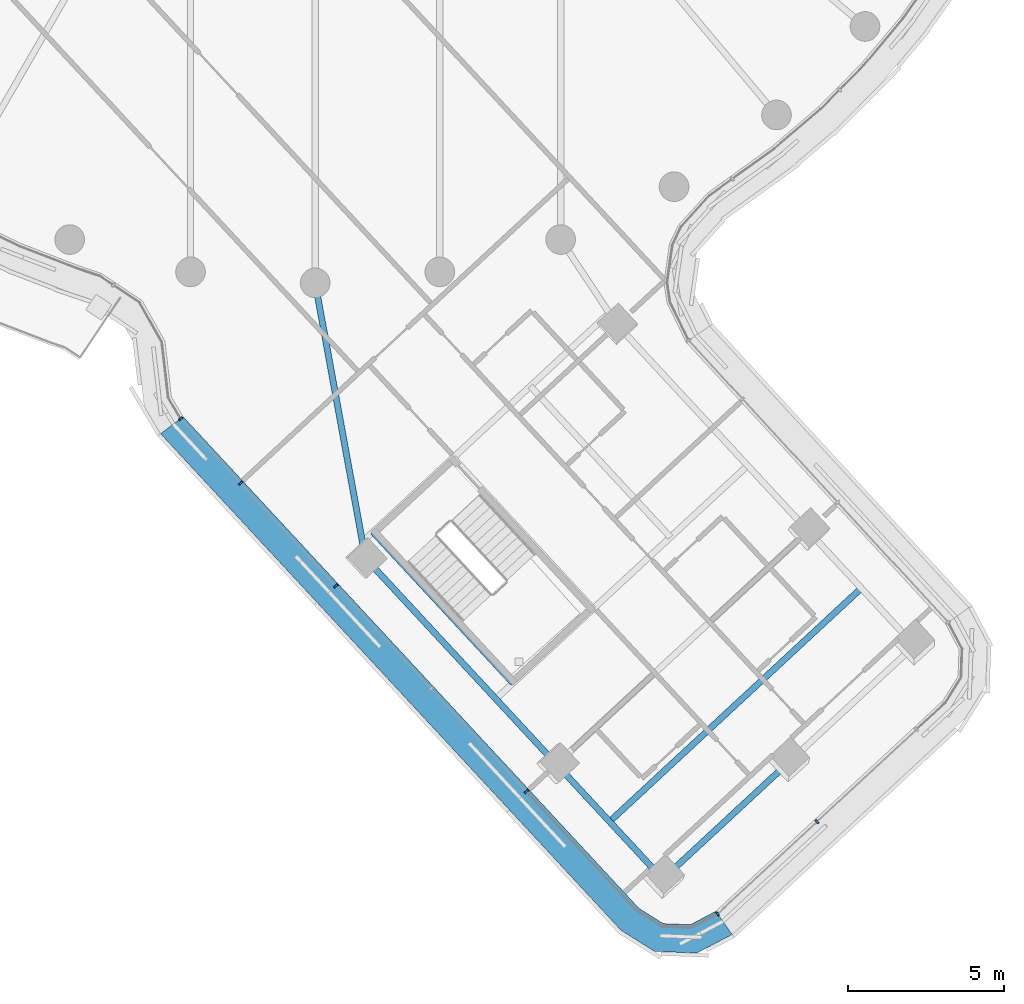
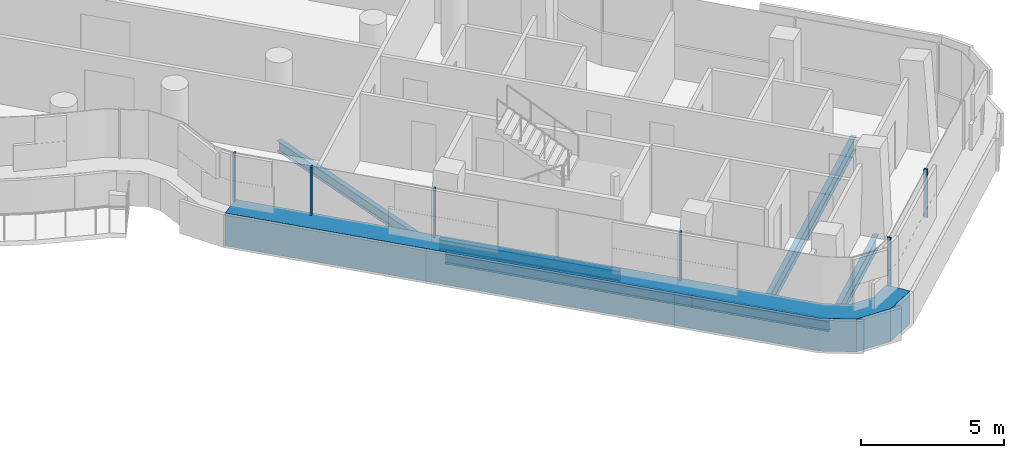
# One storey, part 5 of 34: 7 members, 6 beams, 2 elements without a shape of their own.
"""IFC4 building model written with IfcOpenShell, lengths in metres."""

from ifc_helpers import new_model, si_unit, direction, frame, origin, origin_2d, place, context, subcontext, project, spatial, polyline, rectangle, i_section, outline, extrude, material, layer, layer_set, material_profile, profile_set, type_object, element, aggregate, save


model = new_model("IFC4")

# Units and contexts
model_context = context("Model", 3, precision=1e-05, world=origin(), true_north=direction((0.0, 1.0)))
body_context = subcontext(model_context, "Body", "Model", "MODEL_VIEW")
ifc_project = project(units=[si_unit("LENGTHUNIT", "METRE"), si_unit("AREAUNIT", "SQUARE_METRE"), si_unit("VOLUMEUNIT", "CUBIC_METRE"), si_unit("PLANEANGLEUNIT", "RADIAN"), si_unit("MASSUNIT", "GRAM", prefix="KILO")], contexts=[model_context])

# Site, building, storey
site_placement = place(None, origin())
site = spatial("IfcSite", under=ifc_project, at=site_placement, CompositionType="ELEMENT")
building_placement = place(site_placement, origin())
building = spatial("IfcBuilding", under=site, at=building_placement, Name="Tamarind Cross Interchange Tower", CompositionType="ELEMENT")
storey_placement = place(building_placement, frame((0.0, 0.0, 189.699951171875)))
storey = spatial("IfcBuildingStorey", under=building, at=storey_placement, Name="L47", CompositionType="ELEMENT", Elevation=189.699951171875)

# Beams
ifc_material_1 = material(Name="Steel Q355B", Category="steel")
ifc_material_profile_1 = material_profile(ifc_material_1, i_section(OverallWidth=0.198974609375, OverallDepth=0.446044921875, WebThickness=0.008056640625, FlangeThickness=0.011962890625, FilletRadius=0.012939453125, at=origin_2d()), Name="HN 446x199x8x12")
ifc_profile_set_1 = profile_set([ifc_material_profile_1], Name="Steel Q355B")
beam_type_1 = type_object("IfcBeamType", Name="Composite beam HN 446x199x8x12 Q355B", PredefinedType="BEAM", material=ifc_profile_set_1)
beam_1_placement = place(storey_placement, frame((11.1416015625, -42.10546875, -0.363037109375), z_axis=(-0.679919112762, 0.733287119824, 0.0), x_axis=(-0.733287119824, -0.679919112762, 0.0)))
element("IfcBeam", 1, at=beam_1_placement, inside=storey, type_object=beam_type_1, Name="Beam S-edgeem5", PredefinedType="BEAM", context=body_context, shape_type="SweptSolid", body=[
    extrude(i_section(OverallWidth=0.198974609375, OverallDepth=0.446044921875, WebThickness=0.008056640625, FlangeThickness=0.011962890625, FilletRadius=0.012939453125, at=origin_2d()), origin(), (0.0, 0.0, 1.0), 5.018310546875),
])
beam_2_placement = place(storey_placement, frame((7.7294921875, -38.425537109375, -0.363037109375), z_axis=(-0.679924447682, 0.73328217314, 0.0), x_axis=(-0.73328217314, -0.679924447682, 0.0)))
element("IfcBeam", 2, at=beam_2_placement, inside=storey, type_object=beam_type_1, Name="Beam S-edgeem6", PredefinedType="BEAM", context=body_context, shape_type="SweptSolid", body=[
    extrude(i_section(OverallWidth=0.198974609375, OverallDepth=0.446044921875, WebThickness=0.008056640625, FlangeThickness=0.011962890625, FilletRadius=0.012939453125, at=origin_2d()), origin(), (0.0, 0.0, 1.0), 9.0),
])
beam_3_placement = place(storey_placement, frame((1.610107421875, -31.825927734375, -0.363037109375), z_axis=(-0.179467321879, 0.98376393529, 0.0), x_axis=(-0.98376393529, -0.179467321879, 0.0)))
element("IfcBeam", 3, at=beam_3_placement, inside=storey, type_object=beam_type_1, Name="Beam S-linkem", PredefinedType="BEAM", context=body_context, shape_type="SweptSolid", body=[
    extrude(i_section(OverallWidth=0.198974609375, OverallDepth=0.446044921875, WebThickness=0.008056640625, FlangeThickness=0.011962890625, FilletRadius=0.012939453125, at=origin_2d()), origin(), (0.0, 0.0, 1.0), 8.9716796875),
])
beam_4_placement = place(storey_placement, frame((1.854248046875, -30.98583984375, -0.363037109375), z_axis=(0.679894720772, -0.733309735832, 0.0), x_axis=(0.733309735832, 0.679894720772, 0.0)))
element("IfcBeam", 4, at=beam_4_placement, inside=storey, type_object=beam_type_1, Name="Beam S-tr0", PredefinedType="BEAM", context=body_context, shape_type="SweptSolid", body=[
    extrude(i_section(OverallWidth=0.198974609375, OverallDepth=0.446044921875, WebThickness=0.008056640625, FlangeThickness=0.011962890625, FilletRadius=0.012939453125, at=origin_2d()), origin(), (0.0, 0.0, 1.0), 6.60009765625),
])
ifc_material_profile_2 = material_profile(ifc_material_1, i_section(OverallWidth=0.198974609375, OverallDepth=0.595947265625, WebThickness=0.010009765625, FlangeThickness=0.014892578125, FilletRadius=0.012939453125, at=origin_2d()), Name="HN 596x199x10x15")
ifc_profile_set_2 = profile_set([ifc_material_profile_2], Name="Steel Q355B")
beam_type_2 = type_object("IfcBeamType", Name="Composite beam HN 596x199x10x15 Q355B", PredefinedType="BEAM", material=ifc_profile_set_2)
beam_5_placement = place(storey_placement, frame((11.1416015625, -42.10546875, -0.43798828125), z_axis=(0.733281838279, 0.679924808821, 0.0), x_axis=(-0.679924808821, 0.733281838279, 0.0)))
element("IfcBeam", 5, at=beam_5_placement, inside=storey, type_object=beam_type_2, Name="Beam S-tip0", PredefinedType="BEAM", context=body_context, shape_type="SweptSolid", body=[
    extrude(i_section(OverallWidth=0.198974609375, OverallDepth=0.595947265625, WebThickness=0.010009765625, FlangeThickness=0.014892578125, FilletRadius=0.012939453125, at=origin_2d()), origin(), (0.0, 0.0, 1.0), 5.499755859375),
])
beam_6_placement = place(storey_placement, frame((9.435546875, -40.265380859375, -0.43798828125), z_axis=(0.733292098775, 0.679913742966, 0.0), x_axis=(-0.679913742966, 0.733292098775, 0.0)))
element("IfcBeam", 6, at=beam_6_placement, inside=storey, type_object=beam_type_2, Name="Beam S-x418", PredefinedType="BEAM", context=body_context, shape_type="SweptSolid", body=[
    extrude(i_section(OverallWidth=0.198974609375, OverallDepth=0.595947265625, WebThickness=0.010009765625, FlangeThickness=0.014892578125, FilletRadius=0.012939453125, at=origin_2d()), origin(), (0.0, 0.0, 1.0), 11.0),
])

# Curtain wall, member
ifc_material_2 = material(Name="Aluminium 6063-T6", Category="aluminium")
ifc_layer = layer(ifc_material_2, 0.139892578125)
ifc_layer_set = layer_set([ifc_layer], Name="Aluminium 6063-T6")
curtain_wall_type = type_object("IfcCurtainWallType", Name="Hotel curtain wall, 4.5 m bays", PredefinedType="NOTDEFINED", material=ifc_layer_set)
curtain_wall_1_placement = place(storey_placement, origin())
curtain_wall_1 = element("IfcCurtainWall", 7, at=curtain_wall_1_placement, inside=storey, type_object=curtain_wall_type, Name="CWS-L47-11", PredefinedType="NOTDEFINED")
ifc_material_3 = material(Name="Aluminium and insulated spandrel panel", Category="aluminium")
member_type_1 = type_object("IfcMemberType", Name="Floor-edge blade transom", PredefinedType="USERDEFINED", material=ifc_material_3)
member_1_placement = place(storey_placement, origin())
member_1 = element("IfcMember", 8, at=member_1_placement, type_object=member_type_1, Name="CWT-L47-11", ObjectType="TRANSOM", PredefinedType="USERDEFINED", context=body_context, shape_type="SweptSolid", body=[
    extrude(outline(polyline([(-4.229248046875, -27.29296875), (10.379150390625, -43.04833984375), (11.154052734375, -43.53564453125), (12.028076171875, -43.568603515625), (12.83740234375, -43.14111328125), (13.362548828125, -43.881591796875), (12.23486328125, -44.47705078125), (10.879150390625, -44.42578125), (9.7998046875, -43.7470703125), (-4.954345703125, -27.834716796875), (-4.229248046875, -27.29296875)])), origin(), (0.0, 0.0, 1.0), 1.400146484375),
])

# Curtain wall, members
curtain_wall_2_placement = place(storey_placement, origin())
curtain_wall_2 = element("IfcCurtainWall", 9, at=curtain_wall_2_placement, inside=storey, type_object=curtain_wall_type, Name="CWS-L47-00", PredefinedType="NOTDEFINED")
ifc_material_profile_3 = material_profile(ifc_material_2, rectangle(XDim=0.06005859375, YDim=0.139892578125, at=origin_2d()), Name="Mullion CW2")
ifc_profile_set_3 = profile_set([ifc_material_profile_3], Name="Aluminium 6063-T6")
member_type_2 = type_object("IfcMemberType", Name="Mullion CW2", PredefinedType="MULLION", material=ifc_profile_set_3)
member_2_placement = place(storey_placement, frame((12.895751953125, -43.223388671875, 1.400146484375), z_axis=(0.0, 0.0, 1.0), x_axis=(0.815766274699, 0.578381694959, 0.0)))
member_2 = element("IfcMember", 10, at=member_2_placement, type_object=member_type_2, Name="CWM-L47-00-00", PredefinedType="MULLION", context=body_context, shape_type="SweptSolid", body=[
    extrude(rectangle(XDim=0.06005859375, YDim=0.139892578125, at=origin_2d()), origin(), (0.0, 0.0, 1.0), 2.059814453125),
])
member_3_placement = place(storey_placement, frame((16.082275390625, -40.268798828125, 1.400146484375), z_axis=(0.0, 0.0, 1.0), x_axis=(0.73329332084, 0.679912424958, 0.0)))
member_3 = element("IfcMember", 11, at=member_3_placement, type_object=member_type_2, Name="CWM-L47-00-01", PredefinedType="MULLION", context=body_context, shape_type="SweptSolid", body=[
    extrude(rectangle(XDim=0.06005859375, YDim=0.139892578125, at=origin_2d()), origin(), (0.0, 0.0, 1.0), 2.059814453125),
])
aggregate(curtain_wall_2, [member_2, member_3])

# Member
member_4_placement = place(storey_placement, frame((-4.309814453125, -27.353271484375, 1.400146484375), z_axis=(0.0, 0.0, 1.0), x_axis=(0.598482724369, -0.801135711744, 0.0)))
member_4 = element("IfcMember", 12, at=member_4_placement, type_object=member_type_2, Name="CWM-L47-11-00", PredefinedType="MULLION", context=body_context, shape_type="SweptSolid", body=[
    extrude(rectangle(XDim=0.06005859375, YDim=0.139892578125, at=origin_2d()), origin(), (0.0, 0.0, 1.0), 2.059814453125),
])

member_5_placement = place(storey_placement, frame((-2.392578125, -29.4208984375, 1.400146484375), z_axis=(0.0, 0.0, 1.0), x_axis=(0.679912424958, -0.73329332084, 0.0)))
member_5 = element("IfcMember", 13, at=member_5_placement, type_object=member_type_2, Name="CWM-L47-11-01", PredefinedType="MULLION", context=body_context, shape_type="SweptSolid", body=[
    extrude(rectangle(XDim=0.06005859375, YDim=0.139892578125, at=origin_2d()), origin(), (0.0, 0.0, 1.0), 2.059814453125),
])

member_6_placement = place(storey_placement, frame((0.660400390625, -32.71337890625, 1.400146484375), z_axis=(0.0, 0.0, 1.0), x_axis=(0.679912424958, -0.73329332084, 0.0)))
member_6 = element("IfcMember", 14, at=member_6_placement, type_object=member_type_2, Name="CWM-L47-11-02", PredefinedType="MULLION", context=body_context, shape_type="SweptSolid", body=[
    extrude(rectangle(XDim=0.06005859375, YDim=0.139892578125, at=origin_2d()), origin(), (0.0, 0.0, 1.0), 2.059814453125),
])

member_7_placement = place(storey_placement, frame((6.76611328125, -39.298583984375, 1.400146484375), z_axis=(0.0, 0.0, 1.0), x_axis=(0.679912424958, -0.73329332084, 0.0)))
member_7 = element("IfcMember", 15, at=member_7_placement, type_object=member_type_2, Name="CWM-L47-11-04", PredefinedType="MULLION", context=body_context, shape_type="SweptSolid", body=[
    extrude(rectangle(XDim=0.06005859375, YDim=0.139892578125, at=origin_2d()), origin(), (0.0, 0.0, 1.0), 2.059814453125),
])

aggregate(curtain_wall_1, [member_4, member_5, member_6, member_7, member_1])

save(model, "model.ifc")
